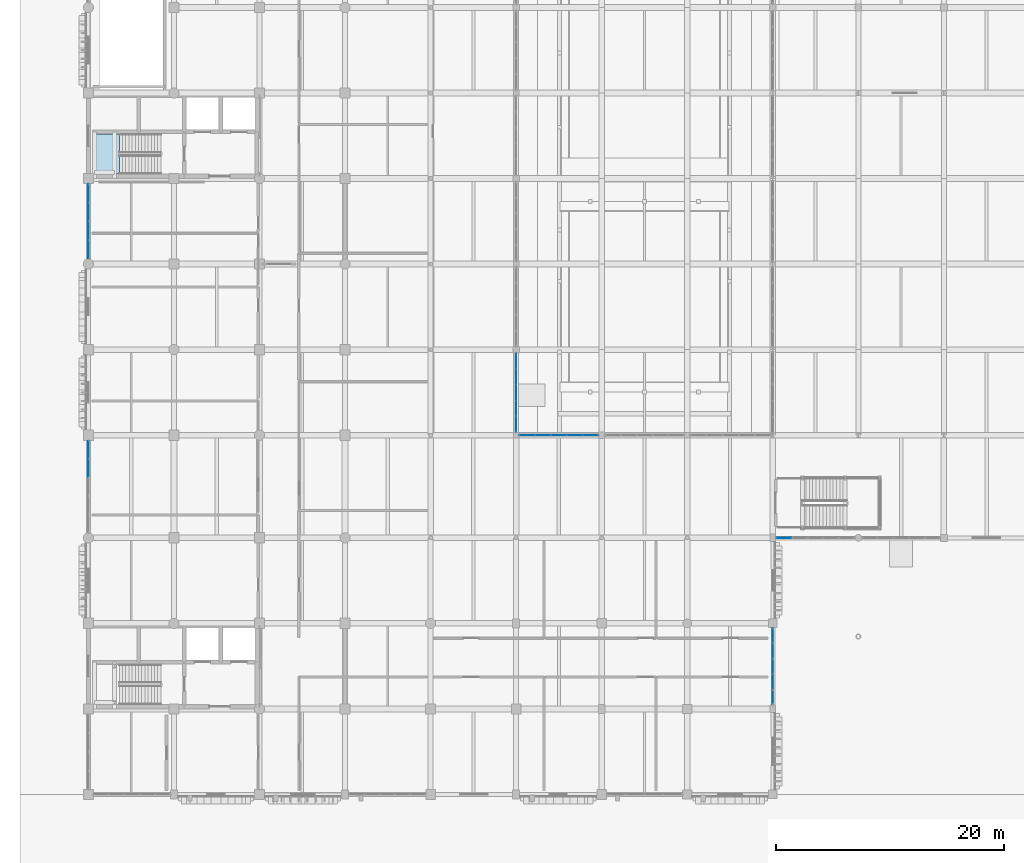
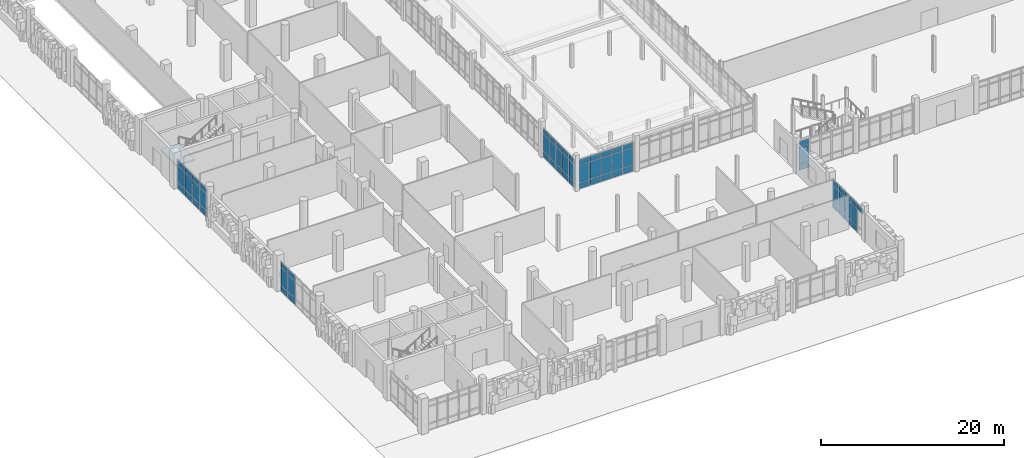
# One storey, part 71 of 125: 64 plates, 1 slab, 7 elements without a shape of their own.
"""IFC4 building model written with IfcOpenShell, lengths in metres."""

from ifc_helpers import new_model, si_unit, direction, frame, origin, origin_2d, place, context, subcontext, project, spatial, polyline, rectangle, outline, extrude, material, layer, layer_set, type_object, element, aggregate, save


model = new_model("IFC4")

# Units and contexts
model_context = context("Model", 3, precision=1e-05, world=origin(), true_north=direction((0.0, 1.0)))
body_context = subcontext(model_context, "Body", "Model", "MODEL_VIEW")
ifc_project = project(units=[si_unit("LENGTHUNIT", "METRE"), si_unit("AREAUNIT", "SQUARE_METRE"), si_unit("VOLUMEUNIT", "CUBIC_METRE"), si_unit("PLANEANGLEUNIT", "RADIAN"), si_unit("MASSUNIT", "GRAM", prefix="KILO")], contexts=[model_context])

# Site, building, storey
site_placement = place(None, origin())
site = spatial("IfcSite", under=ifc_project, at=site_placement, CompositionType="ELEMENT")
building_placement = place(site_placement, origin())
building = spatial("IfcBuilding", under=site, at=building_placement, Name="Dalvernix Boulevard General Hospital", CompositionType="ELEMENT")
storey_placement = place(building_placement, origin())
storey = spatial("IfcBuildingStorey", under=building, at=storey_placement, Name="L00", CompositionType="ELEMENT", Elevation=0.0)

# Curtain wall, plates
ifc_material_1 = material(Name="Thermally broken aluminium and solar-control glass curtain wall", Category="aluminium")
ifc_layer_1 = layer(ifc_material_1, 0.159912109375)
ifc_layer_set_1 = layer_set([ifc_layer_1], Name="Thermally broken aluminium and solar-control glass curtain wall (CW-CW-A-81x40)")
curtain_wall_type_1 = type_object("IfcCurtainWallType", Name="CW-CW-A-81x40", PredefinedType="USERDEFINED", material=ifc_layer_set_1)
curtain_wall_1_placement = place(storey_placement, origin())
curtain_wall_1 = element("IfcCurtainWall", 1, at=curtain_wall_1_placement, inside=storey, type_object=curtain_wall_type_1, Name="L00 curtain wall CW-A-81x40 0-3", ObjectType="GLAZED FACADE", PredefinedType="USERDEFINED")
ifc_material_2 = material(Name="Double-glazed solar-control low-emissivity glass", Category="glass")
ifc_layer_2 = layer(ifc_material_2, 0.02392578125)
ifc_layer_set_2 = layer_set([ifc_layer_2], Name="Double-glazed solar-control low-emissivity glass (PLT-CW-P1)")
plate_type_1 = type_object("IfcPlateType", Name="PLT-CW-P1", PredefinedType="CURTAIN_PANEL", material=ifc_layer_set_2)
plate_1_placement = place(storey_placement, frame((0.0, 28.615966796875, 0.06005859375), z_axis=(0.0, 0.0, 1.0), x_axis=(0.0, 1.0, 0.0)))
plate_1 = element("IfcPlate", 2, at=plate_1_placement, type_object=plate_type_1, Name="CW-A-81x40 panel 4.1", PredefinedType="CURTAIN_PANEL", context=body_context, shape_type="SweptSolid", body=[
    extrude(rectangle(XDim=1.555908203125, YDim=0.02392578125, at=origin_2d()), origin(), (0.0, 0.0, 1.0), 0.81005859375),
])
plate_2_placement = place(storey_placement, frame((0.0, 28.615966796875, 0.93017578125), z_axis=(0.0, 0.0, 1.0), x_axis=(0.0, 1.0, 0.0)))
plate_2 = element("IfcPlate", 3, at=plate_2_placement, type_object=plate_type_1, Name="CW-A-81x40 panel 4.2", PredefinedType="CURTAIN_PANEL", context=body_context, shape_type="SweptSolid", body=[
    extrude(rectangle(XDim=1.555908203125, YDim=0.02392578125, at=origin_2d()), origin(), (0.0, 0.0, 1.0), 2.239990234375),
])
plate_3_placement = place(storey_placement, frame((0.0, 28.615966796875, 3.22998046875), z_axis=(0.0, 0.0, 1.0), x_axis=(0.0, 1.0, 0.0)))
plate_3 = element("IfcPlate", 4, at=plate_3_placement, type_object=plate_type_1, Name="CW-A-81x40 panel 4.3", PredefinedType="CURTAIN_PANEL", context=body_context, shape_type="SweptSolid", body=[
    extrude(rectangle(XDim=1.555908203125, YDim=0.02392578125, at=origin_2d()), origin(), (0.0, 0.0, 1.0), 0.659912109375),
])
plate_4_placement = place(storey_placement, frame((0.0, 30.217041015625, 0.06005859375), z_axis=(0.0, 0.0, 1.0), x_axis=(0.0, 1.0, 0.0)))
plate_4 = element("IfcPlate", 5, at=plate_4_placement, type_object=plate_type_1, Name="CW-A-81x40 panel 5.1", PredefinedType="CURTAIN_PANEL", context=body_context, shape_type="SweptSolid", body=[
    extrude(rectangle(XDim=1.52587890625, YDim=0.02392578125, at=origin_2d()), origin(), (0.0, 0.0, 1.0), 0.81005859375),
])
plate_5_placement = place(storey_placement, frame((0.0, 30.217041015625, 0.93017578125), z_axis=(0.0, 0.0, 1.0), x_axis=(0.0, 1.0, 0.0)))
plate_5 = element("IfcPlate", 6, at=plate_5_placement, type_object=plate_type_1, Name="CW-A-81x40 panel 5.2", PredefinedType="CURTAIN_PANEL", context=body_context, shape_type="SweptSolid", body=[
    extrude(rectangle(XDim=1.52587890625, YDim=0.02392578125, at=origin_2d()), origin(), (0.0, 0.0, 1.0), 2.239990234375),
])
plate_6_placement = place(storey_placement, frame((0.0, 30.217041015625, 3.22998046875), z_axis=(0.0, 0.0, 1.0), x_axis=(0.0, 1.0, 0.0)))
plate_6 = element("IfcPlate", 7, at=plate_6_placement, type_object=plate_type_1, Name="CW-A-81x40 panel 5.3", PredefinedType="CURTAIN_PANEL", context=body_context, shape_type="SweptSolid", body=[
    extrude(rectangle(XDim=1.52587890625, YDim=0.02392578125, at=origin_2d()), origin(), (0.0, 0.0, 1.0), 0.659912109375),
])
aggregate(curtain_wall_1, [plate_1, plate_2, plate_3, plate_4, plate_5, plate_6])

ifc_layer_3 = layer(ifc_material_1, 0.159912109375)
ifc_layer_set_3 = layer_set([ifc_layer_3], Name="Thermally broken aluminium and solar-control glass curtain wall (CW-CW-A-66x39)")
curtain_wall_type_2 = type_object("IfcCurtainWallType", Name="CW-CW-A-66x39", PredefinedType="USERDEFINED", material=ifc_layer_set_3)
curtain_wall_2_placement = place(storey_placement, origin())
curtain_wall_2 = element("IfcCurtainWall", 8, at=curtain_wall_2_placement, inside=storey, type_object=curtain_wall_type_2, Name="L00 curtain wall CW-A-66x39 0-6", ObjectType="GLAZED FACADE", PredefinedType="USERDEFINED")
plate_7_placement = place(storey_placement, frame((0.0, 47.797607421875, 0.06005859375), z_axis=(0.0, 0.0, 1.0), x_axis=(0.0, 1.0, 0.0)))
plate_7 = element("IfcPlate", 9, at=plate_7_placement, type_object=plate_type_1, Name="CW-A-66x39 panel 1.1", PredefinedType="CURTAIN_PANEL", context=body_context, shape_type="SweptSolid", body=[
    extrude(rectangle(XDim=1.554931640625, YDim=0.02392578125, at=origin_2d()), origin(), (0.0, 0.0, 1.0), 0.81005859375),
])
plate_8_placement = place(storey_placement, frame((0.0, 47.797607421875, 0.929931640625), z_axis=(0.0, 0.0, 1.0), x_axis=(0.0, 1.0, 0.0)))
plate_8 = element("IfcPlate", 10, at=plate_8_placement, type_object=plate_type_1, Name="CW-A-66x39 panel 1.2", PredefinedType="CURTAIN_PANEL", context=body_context, shape_type="SweptSolid", body=[
    extrude(rectangle(XDim=1.554931640625, YDim=0.02392578125, at=origin_2d()), origin(), (0.0, 0.0, 1.0), 2.18994140625),
])
plate_9_placement = place(storey_placement, frame((0.0, 47.797607421875, 3.18017578125), z_axis=(0.0, 0.0, 1.0), x_axis=(0.0, 1.0, 0.0)))
plate_9 = element("IfcPlate", 11, at=plate_9_placement, type_object=plate_type_1, Name="CW-A-66x39 panel 1.3", PredefinedType="CURTAIN_PANEL", context=body_context, shape_type="SweptSolid", body=[
    extrude(rectangle(XDim=1.554931640625, YDim=0.02392578125, at=origin_2d()), origin(), (0.0, 0.0, 1.0), 0.659912109375),
])
plate_10_placement = place(storey_placement, frame((0.0, 49.427490234375, 0.06005859375), z_axis=(0.0, 0.0, 1.0), x_axis=(0.0, 1.0, 0.0)))
plate_10 = element("IfcPlate", 12, at=plate_10_placement, type_object=plate_type_1, Name="CW-A-66x39 panel 2.1", PredefinedType="CURTAIN_PANEL", context=body_context, shape_type="SweptSolid", body=[
    extrude(rectangle(XDim=1.5849609375, YDim=0.02392578125, at=origin_2d()), origin(), (0.0, 0.0, 1.0), 0.81005859375),
])
plate_11_placement = place(storey_placement, frame((0.0, 49.427490234375, 0.929931640625), z_axis=(0.0, 0.0, 1.0), x_axis=(0.0, 1.0, 0.0)))
plate_11 = element("IfcPlate", 13, at=plate_11_placement, type_object=plate_type_1, Name="CW-A-66x39 panel 2.2", PredefinedType="CURTAIN_PANEL", context=body_context, shape_type="SweptSolid", body=[
    extrude(rectangle(XDim=1.5849609375, YDim=0.02392578125, at=origin_2d()), origin(), (0.0, 0.0, 1.0), 2.18994140625),
])
plate_12_placement = place(storey_placement, frame((0.0, 49.427490234375, 3.18017578125), z_axis=(0.0, 0.0, 1.0), x_axis=(0.0, 1.0, 0.0)))
plate_12 = element("IfcPlate", 14, at=plate_12_placement, type_object=plate_type_1, Name="CW-A-66x39 panel 2.3", PredefinedType="CURTAIN_PANEL", context=body_context, shape_type="SweptSolid", body=[
    extrude(rectangle(XDim=1.5849609375, YDim=0.02392578125, at=origin_2d()), origin(), (0.0, 0.0, 1.0), 0.659912109375),
])
plate_13_placement = place(storey_placement, frame((0.0, 51.072509765625, 0.06005859375), z_axis=(0.0, 0.0, 1.0), x_axis=(0.0, 1.0, 0.0)))
plate_13 = element("IfcPlate", 15, at=plate_13_placement, type_object=plate_type_1, Name="CW-A-66x39 panel 3.1", PredefinedType="CURTAIN_PANEL", context=body_context, shape_type="SweptSolid", body=[
    extrude(rectangle(XDim=1.5849609375, YDim=0.02392578125, at=origin_2d()), origin(), (0.0, 0.0, 1.0), 0.81005859375),
])
plate_14_placement = place(storey_placement, frame((0.0, 51.072509765625, 0.929931640625), z_axis=(0.0, 0.0, 1.0), x_axis=(0.0, 1.0, 0.0)))
plate_14 = element("IfcPlate", 16, at=plate_14_placement, type_object=plate_type_1, Name="CW-A-66x39 panel 3.2", PredefinedType="CURTAIN_PANEL", context=body_context, shape_type="SweptSolid", body=[
    extrude(rectangle(XDim=1.5849609375, YDim=0.02392578125, at=origin_2d()), origin(), (0.0, 0.0, 1.0), 2.18994140625),
])
plate_15_placement = place(storey_placement, frame((0.0, 51.072509765625, 3.18017578125), z_axis=(0.0, 0.0, 1.0), x_axis=(0.0, 1.0, 0.0)))
plate_15 = element("IfcPlate", 17, at=plate_15_placement, type_object=plate_type_1, Name="CW-A-66x39 panel 3.3", PredefinedType="CURTAIN_PANEL", context=body_context, shape_type="SweptSolid", body=[
    extrude(rectangle(XDim=1.5849609375, YDim=0.02392578125, at=origin_2d()), origin(), (0.0, 0.0, 1.0), 0.659912109375),
])
plate_16_placement = place(storey_placement, frame((0.0, 52.702392578125, 0.06005859375), z_axis=(0.0, 0.0, 1.0), x_axis=(0.0, 1.0, 0.0)))
plate_16 = element("IfcPlate", 18, at=plate_16_placement, type_object=plate_type_1, Name="CW-A-66x39 panel 4.1", PredefinedType="CURTAIN_PANEL", context=body_context, shape_type="SweptSolid", body=[
    extrude(rectangle(XDim=1.554931640625, YDim=0.02392578125, at=origin_2d()), origin(), (0.0, 0.0, 1.0), 0.81005859375),
])
plate_17_placement = place(storey_placement, frame((0.0, 52.702392578125, 0.929931640625), z_axis=(0.0, 0.0, 1.0), x_axis=(0.0, 1.0, 0.0)))
plate_17 = element("IfcPlate", 19, at=plate_17_placement, type_object=plate_type_1, Name="CW-A-66x39 panel 4.2", PredefinedType="CURTAIN_PANEL", context=body_context, shape_type="SweptSolid", body=[
    extrude(rectangle(XDim=1.554931640625, YDim=0.02392578125, at=origin_2d()), origin(), (0.0, 0.0, 1.0), 2.18994140625),
])
plate_18_placement = place(storey_placement, frame((0.0, 52.702392578125, 3.18017578125), z_axis=(0.0, 0.0, 1.0), x_axis=(0.0, 1.0, 0.0)))
plate_18 = element("IfcPlate", 20, at=plate_18_placement, type_object=plate_type_1, Name="CW-A-66x39 panel 4.3", PredefinedType="CURTAIN_PANEL", context=body_context, shape_type="SweptSolid", body=[
    extrude(rectangle(XDim=1.554931640625, YDim=0.02392578125, at=origin_2d()), origin(), (0.0, 0.0, 1.0), 0.659912109375),
])
aggregate(curtain_wall_2, [plate_7, plate_8, plate_9, plate_10, plate_11, plate_12, plate_13, plate_14, plate_15, plate_16, plate_17, plate_18])

ifc_layer_4 = layer(ifc_material_1, 0.159912109375)
ifc_layer_set_4 = layer_set([ifc_layer_4], Name="Thermally broken aluminium and solar-control glass curtain wall (CW-CW-A-70x39)")
curtain_wall_type_3 = type_object("IfcCurtainWallType", Name="CW-CW-A-70x39", PredefinedType="USERDEFINED", material=ifc_layer_set_4)
curtain_wall_3_placement = place(storey_placement, origin())
curtain_wall_3 = element("IfcCurtainWall", 21, at=curtain_wall_3_placement, inside=storey, type_object=curtain_wall_type_3, Name="L00 curtain wall CW-A-70x39 5-4", ObjectType="GLAZED FACADE", PredefinedType="USERDEFINED")
plate_19_placement = place(storey_placement, frame((37.5, 38.00439453125, 0.06005859375), z_axis=(0.0, 0.0, 1.0), x_axis=(0.0, -1.0, 0.0)))
plate_19 = element("IfcPlate", 22, at=plate_19_placement, type_object=plate_type_1, Name="CW-A-70x39 panel 1.1", PredefinedType="CURTAIN_PANEL", context=body_context, shape_type="SweptSolid", body=[
    extrude(rectangle(XDim=1.301025390625, YDim=0.02392578125, at=origin_2d()), origin(), (0.0, 0.0, 1.0), 0.81005859375),
])
plate_20_placement = place(storey_placement, frame((37.5, 38.00439453125, 0.929931640625), z_axis=(0.0, 0.0, 1.0), x_axis=(0.0, -1.0, 0.0)))
plate_20 = element("IfcPlate", 23, at=plate_20_placement, type_object=plate_type_1, Name="CW-A-70x39 panel 1.2", PredefinedType="CURTAIN_PANEL", context=body_context, shape_type="SweptSolid", body=[
    extrude(rectangle(XDim=1.301025390625, YDim=0.02392578125, at=origin_2d()), origin(), (0.0, 0.0, 1.0), 2.18994140625),
])
plate_21_placement = place(storey_placement, frame((37.5, 38.00439453125, 3.18017578125), z_axis=(0.0, 0.0, 1.0), x_axis=(0.0, -1.0, 0.0)))
plate_21 = element("IfcPlate", 24, at=plate_21_placement, type_object=plate_type_1, Name="CW-A-70x39 panel 1.3", PredefinedType="CURTAIN_PANEL", context=body_context, shape_type="SweptSolid", body=[
    extrude(rectangle(XDim=1.301025390625, YDim=0.02392578125, at=origin_2d()), origin(), (0.0, 0.0, 1.0), 0.659912109375),
])
plate_22_placement = place(storey_placement, frame((37.5, 36.62841796875, 0.06005859375), z_axis=(0.0, 0.0, 1.0), x_axis=(0.0, -1.0, 0.0)))
plate_22 = element("IfcPlate", 25, at=plate_22_placement, type_object=plate_type_1, Name="CW-A-70x39 panel 2.1", PredefinedType="CURTAIN_PANEL", context=body_context, shape_type="SweptSolid", body=[
    extrude(rectangle(XDim=1.3310546875, YDim=0.02392578125, at=origin_2d()), origin(), (0.0, 0.0, 1.0), 0.81005859375),
])
plate_23_placement = place(storey_placement, frame((37.5, 36.62841796875, 0.929931640625), z_axis=(0.0, 0.0, 1.0), x_axis=(0.0, -1.0, 0.0)))
plate_23 = element("IfcPlate", 26, at=plate_23_placement, type_object=plate_type_1, Name="CW-A-70x39 panel 2.2", PredefinedType="CURTAIN_PANEL", context=body_context, shape_type="SweptSolid", body=[
    extrude(rectangle(XDim=1.3310546875, YDim=0.02392578125, at=origin_2d()), origin(), (0.0, 0.0, 1.0), 2.18994140625),
])
plate_24_placement = place(storey_placement, frame((37.5, 36.62841796875, 3.18017578125), z_axis=(0.0, 0.0, 1.0), x_axis=(0.0, -1.0, 0.0)))
plate_24 = element("IfcPlate", 27, at=plate_24_placement, type_object=plate_type_1, Name="CW-A-70x39 panel 2.3", PredefinedType="CURTAIN_PANEL", context=body_context, shape_type="SweptSolid", body=[
    extrude(rectangle(XDim=1.3310546875, YDim=0.02392578125, at=origin_2d()), origin(), (0.0, 0.0, 1.0), 0.659912109375),
])
plate_25_placement = place(storey_placement, frame((37.5, 35.237548828125, 0.06005859375), z_axis=(0.0, 0.0, 1.0), x_axis=(0.0, -1.0, 0.0)))
plate_25 = element("IfcPlate", 28, at=plate_25_placement, type_object=plate_type_1, Name="CW-A-70x39 panel 3.1", PredefinedType="CURTAIN_PANEL", context=body_context, shape_type="SweptSolid", body=[
    extrude(rectangle(XDim=1.3310546875, YDim=0.02392578125, at=origin_2d()), origin(), (0.0, 0.0, 1.0), 0.81005859375),
])
plate_26_placement = place(storey_placement, frame((37.5, 35.237548828125, 0.929931640625), z_axis=(0.0, 0.0, 1.0), x_axis=(0.0, -1.0, 0.0)))
plate_26 = element("IfcPlate", 29, at=plate_26_placement, type_object=plate_type_1, Name="CW-A-70x39 panel 3.2", PredefinedType="CURTAIN_PANEL", context=body_context, shape_type="SweptSolid", body=[
    extrude(rectangle(XDim=1.3310546875, YDim=0.02392578125, at=origin_2d()), origin(), (0.0, 0.0, 1.0), 2.18994140625),
])
plate_27_placement = place(storey_placement, frame((37.5, 35.237548828125, 3.18017578125), z_axis=(0.0, 0.0, 1.0), x_axis=(0.0, -1.0, 0.0)))
plate_27 = element("IfcPlate", 30, at=plate_27_placement, type_object=plate_type_1, Name="CW-A-70x39 panel 3.3", PredefinedType="CURTAIN_PANEL", context=body_context, shape_type="SweptSolid", body=[
    extrude(rectangle(XDim=1.3310546875, YDim=0.02392578125, at=origin_2d()), origin(), (0.0, 0.0, 1.0), 0.659912109375),
])
plate_28_placement = place(storey_placement, frame((37.5, 33.846435546875, 0.06005859375), z_axis=(0.0, 0.0, 1.0), x_axis=(0.0, -1.0, 0.0)))
plate_28 = element("IfcPlate", 31, at=plate_28_placement, type_object=plate_type_1, Name="CW-A-70x39 panel 4.1", PredefinedType="CURTAIN_PANEL", context=body_context, shape_type="SweptSolid", body=[
    extrude(rectangle(XDim=1.3310546875, YDim=0.02392578125, at=origin_2d()), origin(), (0.0, 0.0, 1.0), 0.81005859375),
])
plate_29_placement = place(storey_placement, frame((37.5, 33.846435546875, 0.929931640625), z_axis=(0.0, 0.0, 1.0), x_axis=(0.0, -1.0, 0.0)))
plate_29 = element("IfcPlate", 32, at=plate_29_placement, type_object=plate_type_1, Name="CW-A-70x39 panel 4.2", PredefinedType="CURTAIN_PANEL", context=body_context, shape_type="SweptSolid", body=[
    extrude(rectangle(XDim=1.3310546875, YDim=0.02392578125, at=origin_2d()), origin(), (0.0, 0.0, 1.0), 2.18994140625),
])
plate_30_placement = place(storey_placement, frame((37.5, 33.846435546875, 3.18017578125), z_axis=(0.0, 0.0, 1.0), x_axis=(0.0, -1.0, 0.0)))
plate_30 = element("IfcPlate", 33, at=plate_30_placement, type_object=plate_type_1, Name="CW-A-70x39 panel 4.3", PredefinedType="CURTAIN_PANEL", context=body_context, shape_type="SweptSolid", body=[
    extrude(rectangle(XDim=1.3310546875, YDim=0.02392578125, at=origin_2d()), origin(), (0.0, 0.0, 1.0), 0.659912109375),
])
plate_31_placement = place(storey_placement, frame((37.5, 32.470458984375, 0.06005859375), z_axis=(0.0, 0.0, 1.0), x_axis=(0.0, -1.0, 0.0)))
plate_31 = element("IfcPlate", 34, at=plate_31_placement, type_object=plate_type_1, Name="CW-A-70x39 panel 5.1", PredefinedType="CURTAIN_PANEL", context=body_context, shape_type="SweptSolid", body=[
    extrude(rectangle(XDim=1.301025390625, YDim=0.02392578125, at=origin_2d()), origin(), (0.0, 0.0, 1.0), 0.81005859375),
])
plate_32_placement = place(storey_placement, frame((37.5, 32.470458984375, 0.929931640625), z_axis=(0.0, 0.0, 1.0), x_axis=(0.0, -1.0, 0.0)))
plate_32 = element("IfcPlate", 35, at=plate_32_placement, type_object=plate_type_1, Name="CW-A-70x39 panel 5.2", PredefinedType="CURTAIN_PANEL", context=body_context, shape_type="SweptSolid", body=[
    extrude(rectangle(XDim=1.301025390625, YDim=0.02392578125, at=origin_2d()), origin(), (0.0, 0.0, 1.0), 2.18994140625),
])
plate_33_placement = place(storey_placement, frame((37.5, 32.470458984375, 3.18017578125), z_axis=(0.0, 0.0, 1.0), x_axis=(0.0, -1.0, 0.0)))
plate_33 = element("IfcPlate", 36, at=plate_33_placement, type_object=plate_type_1, Name="CW-A-70x39 panel 5.3", PredefinedType="CURTAIN_PANEL", context=body_context, shape_type="SweptSolid", body=[
    extrude(rectangle(XDim=1.301025390625, YDim=0.02392578125, at=origin_2d()), origin(), (0.0, 0.0, 1.0), 0.659912109375),
])
aggregate(curtain_wall_3, [plate_19, plate_20, plate_21, plate_22, plate_23, plate_24, plate_25, plate_26, plate_27, plate_28, plate_29, plate_30, plate_31, plate_32, plate_33])

ifc_layer_5 = layer(ifc_material_1, 0.159912109375)
ifc_layer_set_5 = layer_set([ifc_layer_5], Name="Thermally broken aluminium and solar-control glass curtain wall (CW-CW-A-70x40)")
curtain_wall_type_4 = type_object("IfcCurtainWallType", Name="CW-CW-A-70x40", PredefinedType="USERDEFINED", material=ifc_layer_set_5)
curtain_wall_4_placement = place(storey_placement, origin())
curtain_wall_4 = element("IfcCurtainWall", 37, at=curtain_wall_4_placement, inside=storey, type_object=curtain_wall_type_4, Name="L00 curtain wall CW-A-70x40 5-4", ObjectType="GLAZED FACADE", PredefinedType="USERDEFINED")
plate_34_placement = place(storey_placement, frame((38.470458984375, 31.5, 0.06005859375), z_axis=(0.0, 0.0, 1.0), x_axis=(1.0, 0.0, 0.0)))
plate_34 = element("IfcPlate", 38, at=plate_34_placement, type_object=plate_type_1, Name="CW-A-70x40 panel 1.1", PredefinedType="CURTAIN_PANEL", context=body_context, shape_type="SweptSolid", body=[
    extrude(rectangle(XDim=1.301025390625, YDim=0.02392578125, at=origin_2d()), origin(), (0.0, 0.0, 1.0), 0.81005859375),
])
plate_35_placement = place(storey_placement, frame((38.470458984375, 31.5, 0.93017578125), z_axis=(0.0, 0.0, 1.0), x_axis=(1.0, 0.0, 0.0)))
plate_35 = element("IfcPlate", 39, at=plate_35_placement, type_object=plate_type_1, Name="CW-A-70x40 panel 1.2", PredefinedType="CURTAIN_PANEL", context=body_context, shape_type="SweptSolid", body=[
    extrude(rectangle(XDim=1.301025390625, YDim=0.02392578125, at=origin_2d()), origin(), (0.0, 0.0, 1.0), 2.239990234375),
])
plate_36_placement = place(storey_placement, frame((38.470458984375, 31.5, 3.22998046875), z_axis=(0.0, 0.0, 1.0), x_axis=(1.0, 0.0, 0.0)))
plate_36 = element("IfcPlate", 40, at=plate_36_placement, type_object=plate_type_1, Name="CW-A-70x40 panel 1.3", PredefinedType="CURTAIN_PANEL", context=body_context, shape_type="SweptSolid", body=[
    extrude(rectangle(XDim=1.301025390625, YDim=0.02392578125, at=origin_2d()), origin(), (0.0, 0.0, 1.0), 0.659912109375),
])
plate_37_placement = place(storey_placement, frame((39.846435546875, 31.5, 0.06005859375), z_axis=(0.0, 0.0, 1.0), x_axis=(1.0, 0.0, 0.0)))
plate_37 = element("IfcPlate", 41, at=plate_37_placement, type_object=plate_type_1, Name="CW-A-70x40 panel 2.1", PredefinedType="CURTAIN_PANEL", context=body_context, shape_type="SweptSolid", body=[
    extrude(rectangle(XDim=1.3310546875, YDim=0.02392578125, at=origin_2d()), origin(), (0.0, 0.0, 1.0), 0.81005859375),
])
plate_38_placement = place(storey_placement, frame((39.846435546875, 31.5, 0.93017578125), z_axis=(0.0, 0.0, 1.0), x_axis=(1.0, 0.0, 0.0)))
plate_38 = element("IfcPlate", 42, at=plate_38_placement, type_object=plate_type_1, Name="CW-A-70x40 panel 2.2", PredefinedType="CURTAIN_PANEL", context=body_context, shape_type="SweptSolid", body=[
    extrude(rectangle(XDim=1.3310546875, YDim=0.02392578125, at=origin_2d()), origin(), (0.0, 0.0, 1.0), 2.239990234375),
])
plate_39_placement = place(storey_placement, frame((39.846435546875, 31.5, 3.22998046875), z_axis=(0.0, 0.0, 1.0), x_axis=(1.0, 0.0, 0.0)))
plate_39 = element("IfcPlate", 43, at=plate_39_placement, type_object=plate_type_1, Name="CW-A-70x40 panel 2.3", PredefinedType="CURTAIN_PANEL", context=body_context, shape_type="SweptSolid", body=[
    extrude(rectangle(XDim=1.3310546875, YDim=0.02392578125, at=origin_2d()), origin(), (0.0, 0.0, 1.0), 0.659912109375),
])
plate_40_placement = place(storey_placement, frame((41.237548828125, 31.5, 0.06005859375), z_axis=(0.0, 0.0, 1.0), x_axis=(1.0, 0.0, 0.0)))
plate_40 = element("IfcPlate", 44, at=plate_40_placement, type_object=plate_type_1, Name="CW-A-70x40 panel 3.1", PredefinedType="CURTAIN_PANEL", context=body_context, shape_type="SweptSolid", body=[
    extrude(rectangle(XDim=1.3310546875, YDim=0.02392578125, at=origin_2d()), origin(), (0.0, 0.0, 1.0), 0.81005859375),
])
plate_41_placement = place(storey_placement, frame((41.237548828125, 31.5, 0.93017578125), z_axis=(0.0, 0.0, 1.0), x_axis=(1.0, 0.0, 0.0)))
plate_41 = element("IfcPlate", 45, at=plate_41_placement, type_object=plate_type_1, Name="CW-A-70x40 panel 3.2", PredefinedType="CURTAIN_PANEL", context=body_context, shape_type="SweptSolid", body=[
    extrude(rectangle(XDim=1.3310546875, YDim=0.02392578125, at=origin_2d()), origin(), (0.0, 0.0, 1.0), 2.239990234375),
])
plate_42_placement = place(storey_placement, frame((41.237548828125, 31.5, 3.22998046875), z_axis=(0.0, 0.0, 1.0), x_axis=(1.0, 0.0, 0.0)))
plate_42 = element("IfcPlate", 46, at=plate_42_placement, type_object=plate_type_1, Name="CW-A-70x40 panel 3.3", PredefinedType="CURTAIN_PANEL", context=body_context, shape_type="SweptSolid", body=[
    extrude(rectangle(XDim=1.3310546875, YDim=0.02392578125, at=origin_2d()), origin(), (0.0, 0.0, 1.0), 0.659912109375),
])
plate_43_placement = place(storey_placement, frame((42.62841796875, 31.5, 0.06005859375), z_axis=(0.0, 0.0, 1.0), x_axis=(1.0, 0.0, 0.0)))
plate_43 = element("IfcPlate", 47, at=plate_43_placement, type_object=plate_type_1, Name="CW-A-70x40 panel 4.1", PredefinedType="CURTAIN_PANEL", context=body_context, shape_type="SweptSolid", body=[
    extrude(rectangle(XDim=1.3310546875, YDim=0.02392578125, at=origin_2d()), origin(), (0.0, 0.0, 1.0), 0.81005859375),
])
plate_44_placement = place(storey_placement, frame((42.62841796875, 31.5, 0.93017578125), z_axis=(0.0, 0.0, 1.0), x_axis=(1.0, 0.0, 0.0)))
plate_44 = element("IfcPlate", 48, at=plate_44_placement, type_object=plate_type_1, Name="CW-A-70x40 panel 4.2", PredefinedType="CURTAIN_PANEL", context=body_context, shape_type="SweptSolid", body=[
    extrude(rectangle(XDim=1.3310546875, YDim=0.02392578125, at=origin_2d()), origin(), (0.0, 0.0, 1.0), 2.239990234375),
])
plate_45_placement = place(storey_placement, frame((42.62841796875, 31.5, 3.22998046875), z_axis=(0.0, 0.0, 1.0), x_axis=(1.0, 0.0, 0.0)))
plate_45 = element("IfcPlate", 49, at=plate_45_placement, type_object=plate_type_1, Name="CW-A-70x40 panel 4.3", PredefinedType="CURTAIN_PANEL", context=body_context, shape_type="SweptSolid", body=[
    extrude(rectangle(XDim=1.3310546875, YDim=0.02392578125, at=origin_2d()), origin(), (0.0, 0.0, 1.0), 0.659912109375),
])
plate_46_placement = place(storey_placement, frame((44.00439453125, 31.5, 0.06005859375), z_axis=(0.0, 0.0, 1.0), x_axis=(1.0, 0.0, 0.0)))
plate_46 = element("IfcPlate", 50, at=plate_46_placement, type_object=plate_type_1, Name="CW-A-70x40 panel 5.1", PredefinedType="CURTAIN_PANEL", context=body_context, shape_type="SweptSolid", body=[
    extrude(rectangle(XDim=1.301025390625, YDim=0.02392578125, at=origin_2d()), origin(), (0.0, 0.0, 1.0), 0.81005859375),
])
plate_47_placement = place(storey_placement, frame((44.00439453125, 31.5, 0.93017578125), z_axis=(0.0, 0.0, 1.0), x_axis=(1.0, 0.0, 0.0)))
plate_47 = element("IfcPlate", 51, at=plate_47_placement, type_object=plate_type_1, Name="CW-A-70x40 panel 5.2", PredefinedType="CURTAIN_PANEL", context=body_context, shape_type="SweptSolid", body=[
    extrude(rectangle(XDim=1.301025390625, YDim=0.02392578125, at=origin_2d()), origin(), (0.0, 0.0, 1.0), 2.239990234375),
])
plate_48_placement = place(storey_placement, frame((44.00439453125, 31.5, 3.22998046875), z_axis=(0.0, 0.0, 1.0), x_axis=(1.0, 0.0, 0.0)))
plate_48 = element("IfcPlate", 52, at=plate_48_placement, type_object=plate_type_1, Name="CW-A-70x40 panel 5.3", PredefinedType="CURTAIN_PANEL", context=body_context, shape_type="SweptSolid", body=[
    extrude(rectangle(XDim=1.301025390625, YDim=0.02392578125, at=origin_2d()), origin(), (0.0, 0.0, 1.0), 0.659912109375),
])
aggregate(curtain_wall_4, [plate_34, plate_35, plate_36, plate_37, plate_38, plate_39, plate_40, plate_41, plate_42, plate_43, plate_44, plate_45, plate_46, plate_47, plate_48])

ifc_layer_6 = layer(ifc_material_1, 0.159912109375)
ifc_layer_set_6 = layer_set([ifc_layer_6], Name="Thermally broken aluminium and solar-control glass curtain wall (CW-CW-A-68x39)")
curtain_wall_type_5 = type_object("IfcCurtainWallType", Name="CW-CW-A-68x39", PredefinedType="USERDEFINED", material=ifc_layer_set_6)
curtain_wall_5_placement = place(storey_placement, origin())
curtain_wall_5 = element("IfcCurtainWall", 53, at=curtain_wall_5_placement, inside=storey, type_object=curtain_wall_type_5, Name="L00 curtain wall CW-A-68x39 8-1", ObjectType="GLAZED FACADE", PredefinedType="USERDEFINED")
plate_49_placement = place(storey_placement, frame((60.0, 13.922119140625, 0.06005859375), z_axis=(0.0, 0.0, 1.0), x_axis=(0.0, -1.0, 0.0)))
plate_49 = element("IfcPlate", 54, at=plate_49_placement, type_object=plate_type_1, Name="CW-A-68x39 panel 1.1", PredefinedType="CURTAIN_PANEL", context=body_context, shape_type="SweptSolid", body=[
    extrude(rectangle(XDim=1.26611328125, YDim=0.02392578125, at=origin_2d()), origin(), (0.0, 0.0, 1.0), 0.81005859375),
])
plate_50_placement = place(storey_placement, frame((60.0, 13.922119140625, 0.929931640625), z_axis=(0.0, 0.0, 1.0), x_axis=(0.0, -1.0, 0.0)))
plate_50 = element("IfcPlate", 55, at=plate_50_placement, type_object=plate_type_1, Name="CW-A-68x39 panel 1.2", PredefinedType="CURTAIN_PANEL", context=body_context, shape_type="SweptSolid", body=[
    extrude(rectangle(XDim=1.26611328125, YDim=0.02392578125, at=origin_2d()), origin(), (0.0, 0.0, 1.0), 2.18994140625),
])
plate_51_placement = place(storey_placement, frame((60.0, 13.922119140625, 3.18017578125), z_axis=(0.0, 0.0, 1.0), x_axis=(0.0, -1.0, 0.0)))
plate_51 = element("IfcPlate", 56, at=plate_51_placement, type_object=plate_type_1, Name="CW-A-68x39 panel 1.3", PredefinedType="CURTAIN_PANEL", context=body_context, shape_type="SweptSolid", body=[
    extrude(rectangle(XDim=1.26611328125, YDim=0.02392578125, at=origin_2d()), origin(), (0.0, 0.0, 1.0), 0.659912109375),
])
plate_52_placement = place(storey_placement, frame((60.0, 12.5810546875, 0.06005859375), z_axis=(0.0, 0.0, 1.0), x_axis=(0.0, -1.0, 0.0)))
plate_52 = element("IfcPlate", 57, at=plate_52_placement, type_object=plate_type_1, Name="CW-A-68x39 panel 2.1", PredefinedType="CURTAIN_PANEL", context=body_context, shape_type="SweptSolid", body=[
    extrude(rectangle(XDim=1.2958984375, YDim=0.02392578125, at=origin_2d()), origin(), (0.0, 0.0, 1.0), 0.81005859375),
])
plate_53_placement = place(storey_placement, frame((60.0, 12.5810546875, 0.929931640625), z_axis=(0.0, 0.0, 1.0), x_axis=(0.0, -1.0, 0.0)))
plate_53 = element("IfcPlate", 58, at=plate_53_placement, type_object=plate_type_1, Name="CW-A-68x39 panel 2.2", PredefinedType="CURTAIN_PANEL", context=body_context, shape_type="SweptSolid", body=[
    extrude(rectangle(XDim=1.2958984375, YDim=0.02392578125, at=origin_2d()), origin(), (0.0, 0.0, 1.0), 2.18994140625),
])
plate_54_placement = place(storey_placement, frame((60.0, 12.5810546875, 3.18017578125), z_axis=(0.0, 0.0, 1.0), x_axis=(0.0, -1.0, 0.0)))
plate_54 = element("IfcPlate", 59, at=plate_54_placement, type_object=plate_type_1, Name="CW-A-68x39 panel 2.3", PredefinedType="CURTAIN_PANEL", context=body_context, shape_type="SweptSolid", body=[
    extrude(rectangle(XDim=1.2958984375, YDim=0.02392578125, at=origin_2d()), origin(), (0.0, 0.0, 1.0), 0.659912109375),
])
plate_55_placement = place(storey_placement, frame((60.0, 11.22509765625, 0.06005859375), z_axis=(0.0, 0.0, 1.0), x_axis=(0.0, -1.0, 0.0)))
plate_55 = element("IfcPlate", 60, at=plate_55_placement, type_object=plate_type_1, Name="CW-A-68x39 panel 3.1", PredefinedType="CURTAIN_PANEL", context=body_context, shape_type="SweptSolid", body=[
    extrude(rectangle(XDim=1.2958984375, YDim=0.02392578125, at=origin_2d()), origin(), (0.0, 0.0, 1.0), 0.81005859375),
])
plate_56_placement = place(storey_placement, frame((60.0, 11.22509765625, 0.929931640625), z_axis=(0.0, 0.0, 1.0), x_axis=(0.0, -1.0, 0.0)))
plate_56 = element("IfcPlate", 61, at=plate_56_placement, type_object=plate_type_1, Name="CW-A-68x39 panel 3.2", PredefinedType="CURTAIN_PANEL", context=body_context, shape_type="SweptSolid", body=[
    extrude(rectangle(XDim=1.2958984375, YDim=0.02392578125, at=origin_2d()), origin(), (0.0, 0.0, 1.0), 2.18994140625),
])
plate_57_placement = place(storey_placement, frame((60.0, 11.22509765625, 3.18017578125), z_axis=(0.0, 0.0, 1.0), x_axis=(0.0, -1.0, 0.0)))
plate_57 = element("IfcPlate", 62, at=plate_57_placement, type_object=plate_type_1, Name="CW-A-68x39 panel 3.3", PredefinedType="CURTAIN_PANEL", context=body_context, shape_type="SweptSolid", body=[
    extrude(rectangle(XDim=1.2958984375, YDim=0.02392578125, at=origin_2d()), origin(), (0.0, 0.0, 1.0), 0.659912109375),
])
plate_58_placement = place(storey_placement, frame((60.0, 9.868896484375, 0.06005859375), z_axis=(0.0, 0.0, 1.0), x_axis=(0.0, -1.0, 0.0)))
plate_58 = element("IfcPlate", 63, at=plate_58_placement, type_object=plate_type_1, Name="CW-A-68x39 panel 4.1", PredefinedType="CURTAIN_PANEL", context=body_context, shape_type="SweptSolid", body=[
    extrude(rectangle(XDim=1.2958984375, YDim=0.02392578125, at=origin_2d()), origin(), (0.0, 0.0, 1.0), 0.81005859375),
])
plate_59_placement = place(storey_placement, frame((60.0, 9.868896484375, 0.929931640625), z_axis=(0.0, 0.0, 1.0), x_axis=(0.0, -1.0, 0.0)))
plate_59 = element("IfcPlate", 64, at=plate_59_placement, type_object=plate_type_1, Name="CW-A-68x39 panel 4.2", PredefinedType="CURTAIN_PANEL", context=body_context, shape_type="SweptSolid", body=[
    extrude(rectangle(XDim=1.2958984375, YDim=0.02392578125, at=origin_2d()), origin(), (0.0, 0.0, 1.0), 2.18994140625),
])
plate_60_placement = place(storey_placement, frame((60.0, 9.868896484375, 3.18017578125), z_axis=(0.0, 0.0, 1.0), x_axis=(0.0, -1.0, 0.0)))
plate_60 = element("IfcPlate", 65, at=plate_60_placement, type_object=plate_type_1, Name="CW-A-68x39 panel 4.3", PredefinedType="CURTAIN_PANEL", context=body_context, shape_type="SweptSolid", body=[
    extrude(rectangle(XDim=1.2958984375, YDim=0.02392578125, at=origin_2d()), origin(), (0.0, 0.0, 1.0), 0.659912109375),
])
plate_61_placement = place(storey_placement, frame((60.0, 8.528076171875, 3.18017578125), z_axis=(0.0, 0.0, 1.0), x_axis=(0.0, -1.0, 0.0)))
plate_61 = element("IfcPlate", 66, at=plate_61_placement, type_object=plate_type_1, Name="CW-A-68x39 panel 5.3", PredefinedType="CURTAIN_PANEL", context=body_context, shape_type="SweptSolid", body=[
    extrude(rectangle(XDim=1.26611328125, YDim=0.02392578125, at=origin_2d()), origin(), (0.0, 0.0, 1.0), 0.659912109375),
])
aggregate(curtain_wall_5, [plate_49, plate_50, plate_51, plate_52, plate_53, plate_54, plate_55, plate_56, plate_57, plate_58, plate_59, plate_60, plate_61])

ifc_layer_7 = layer(ifc_material_1, 0.199951171875)
ifc_layer_set_7 = layer_set([ifc_layer_7], Name="Thermally broken aluminium and solar-control glass curtain wall (CW-CW-C-69x40)")
curtain_wall_type_6 = type_object("IfcCurtainWallType", Name="CW-CW-C-69x40", PredefinedType="USERDEFINED", material=ifc_layer_set_7)
curtain_wall_6_placement = place(storey_placement, origin())
curtain_wall_6 = element("IfcCurtainWall", 67, at=curtain_wall_6_placement, inside=storey, type_object=curtain_wall_type_6, Name="L00 curtain wall CW-C-69x40 8-3", ObjectType="GLAZED FACADE", PredefinedType="USERDEFINED")
ifc_layer_8 = layer(ifc_material_2, 0.035888671875)
ifc_layer_set_8 = layer_set([ifc_layer_8], Name="Double-glazed solar-control low-emissivity glass (PLT-CW-P3)")
plate_type_2 = type_object("IfcPlateType", Name="PLT-CW-P3", PredefinedType="CURTAIN_PANEL", material=ifc_layer_set_8)
plate_62_placement = place(storey_placement, frame((60.970458984375, 22.5, 0.070068359375), z_axis=(0.0, 0.0, 1.0), x_axis=(-1.0, 0.0, 0.0)))
plate_62 = element("IfcPlate", 68, at=plate_62_placement, type_object=plate_type_2, Name="CW-C-69x40 panel 5.1", PredefinedType="CURTAIN_PANEL", context=body_context, shape_type="SweptSolid", body=[
    extrude(rectangle(XDim=1.281005859375, YDim=0.035888671875, at=origin_2d()), origin(), (0.0, 0.0, 1.0), 0.794921875),
])
plate_63_placement = place(storey_placement, frame((60.970458984375, 22.5, 0.93505859375), z_axis=(0.0, 0.0, 1.0), x_axis=(-1.0, 0.0, 0.0)))
plate_63 = element("IfcPlate", 69, at=plate_63_placement, type_object=plate_type_2, Name="CW-C-69x40 panel 5.2", PredefinedType="CURTAIN_PANEL", context=body_context, shape_type="SweptSolid", body=[
    extrude(rectangle(XDim=1.281005859375, YDim=0.035888671875, at=origin_2d()), origin(), (0.0, 0.0, 1.0), 2.22998046875),
])
plate_64_placement = place(storey_placement, frame((60.970458984375, 22.5, 3.235107421875), z_axis=(0.0, 0.0, 1.0), x_axis=(-1.0, 0.0, 0.0)))
plate_64 = element("IfcPlate", 70, at=plate_64_placement, type_object=plate_type_2, Name="CW-C-69x40 panel 5.3", PredefinedType="CURTAIN_PANEL", context=body_context, shape_type="SweptSolid", body=[
    extrude(rectangle(XDim=1.281005859375, YDim=0.035888671875, at=origin_2d()), origin(), (0.0, 0.0, 1.0), 0.64501953125),
])
aggregate(curtain_wall_6, [plate_62, plate_63, plate_64])

# Stair, slab
ifc_material_3 = material(Name="Precast concrete C40/50", Category="concrete")
stair_type = type_object("IfcStairType", Name="IFCSTAIR-STC-165x480", PredefinedType="HALF_TURN_STAIR", material=ifc_material_3)
stair_placement = place(storey_placement, origin())
stair = element("IfcStair", 71, at=stair_placement, inside=storey, type_object=stair_type, Name="L00 Core C2 Exit Stair ST-02", PredefinedType="HALF_TURN_STAIR")
ifc_layer_9 = layer(ifc_material_3, 0.199951171875)
ifc_layer_set_9 = layer_set([ifc_layer_9], Name="Precast concrete C40/50 (SLB-LND-01)")
slab_type = type_object("IfcSlabType", Name="SLB-LND-01", PredefinedType="LANDING", material=ifc_layer_set_9)
slab_placement = place(storey_placement, frame((0.0, 0.0, 2.199951171875)))
slab = element("IfcSlab", 72, at=slab_placement, type_object=slab_type, Name="ST-02 landing 1", PredefinedType="LANDING", context=body_context, shape_type="SweptSolid", body=[
    extrude(outline(polyline([(2.7099609375, 57.89990234375), (0.39990234375, 57.89990234375), (0.39990234375, 54.39990234375), (2.7099609375, 54.39990234375), (2.7099609375, 57.89990234375)])), origin(), (0.0, 0.0, 1.0), 0.199951171875),
])
aggregate(stair, [slab])

save(model, "model.ifc")
